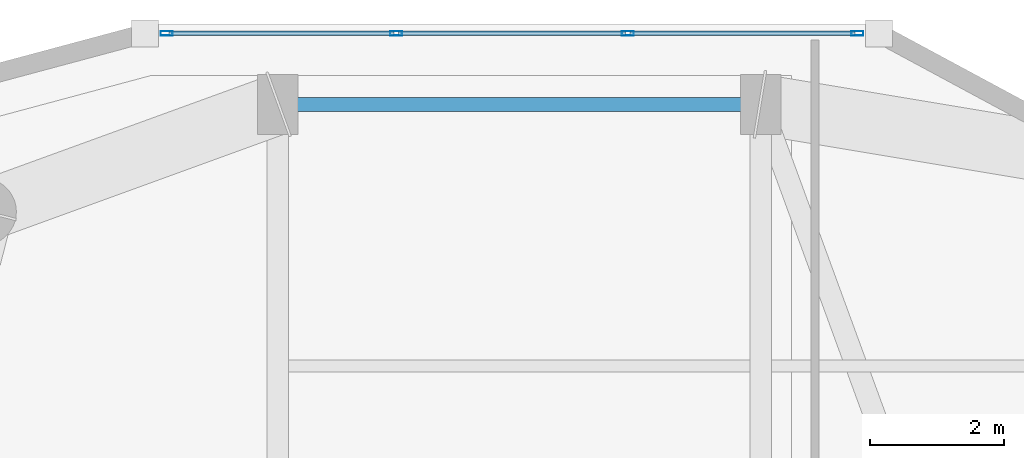
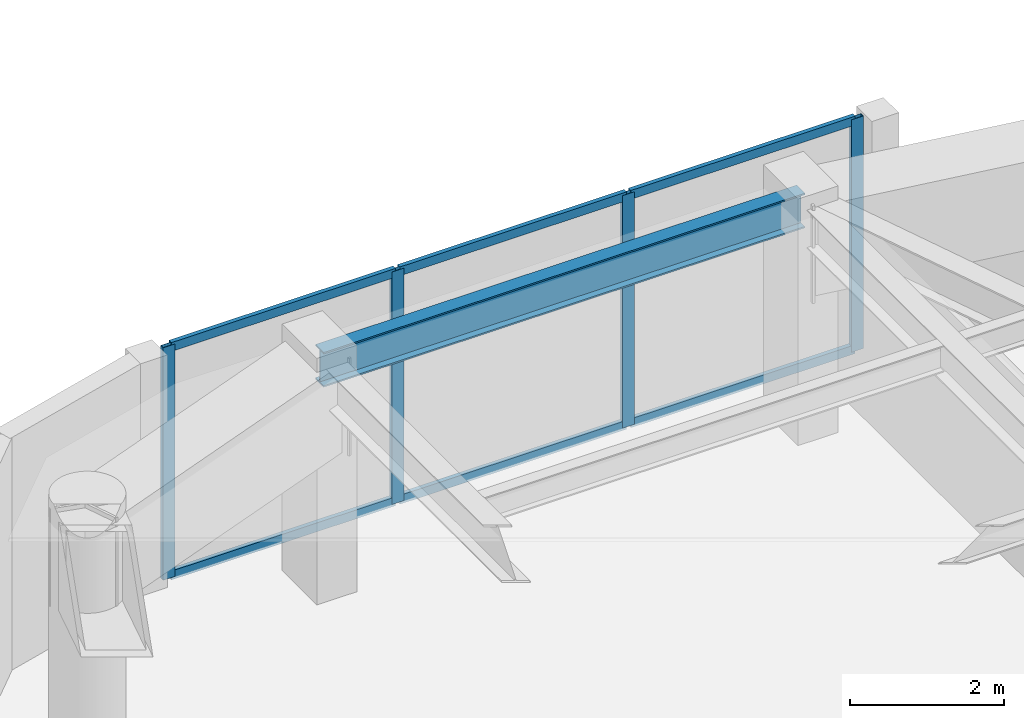
# One storey, part 10 of 21: 10 members, 1 beam, 1 element without a shape of its own.
"""IFC4 building model written with IfcOpenShell, lengths in metres."""

from ifc_helpers import new_model, si_unit, direction, frame, origin, origin_2d, place, context, subcontext, project, spatial, hollow_rectangle, i_section, extrude, material, layer, layer_set, material_profile, profile_set, type_object, element, aggregate, save


model = new_model("IFC4")

# Units and contexts
model_context = context("Model", 3, precision=1e-05, world=origin(), true_north=direction((0.0, 1.0)))
body_context = subcontext(model_context, "Body", "Model", "MODEL_VIEW")
ifc_project = project(units=[si_unit("LENGTHUNIT", "METRE"), si_unit("AREAUNIT", "SQUARE_METRE"), si_unit("VOLUMEUNIT", "CUBIC_METRE"), si_unit("PLANEANGLEUNIT", "RADIAN"), si_unit("MASSUNIT", "GRAM", prefix="KILO")], contexts=[model_context])

# Site, building, storey
site_placement = place(None, origin())
site = spatial("IfcSite", under=ifc_project, at=site_placement, CompositionType="ELEMENT")
building_placement = place(site_placement, origin())
building = spatial("IfcBuilding", under=site, at=building_placement, Name="Kiyonajd Concourse Tower", CompositionType="ELEMENT")
storey_placement = place(building_placement, frame((0.0, 0.0, 247.199951171875)))
storey = spatial("IfcBuildingStorey", under=building, at=storey_placement, Name="L62", CompositionType="ELEMENT", Elevation=247.199951171875)

# Beam
ifc_material_1 = material(Name="Steel ASTM A992 Grade 50", Category="steel")
ifc_material_profile_1 = material_profile(ifc_material_1, i_section(OverallWidth=0.214111328125, OverallDepth=0.549072265625, WebThickness=0.0146484375, FlangeThickness=0.023681640625, at=origin_2d()), Name="W530X138")
ifc_profile_set_1 = profile_set([ifc_material_profile_1], Name="Steel ASTM A992 Grade 50")
beam_type = type_object("IfcBeamType", Name="BM-SPAN-530A", PredefinedType="SPANDREL", material=ifc_profile_set_1)
beam_placement = place(storey_placement, frame((39.60009765625, 61.199951171875, 3.405517578125), z_axis=(-1.0, 0.0, 0.0), x_axis=(0.0, -1.0, 0.0)))
element("IfcBeam", 1, at=beam_placement, inside=storey, type_object=beam_type, Name="L62 Perimeter Bundled Tube Spandrel", PredefinedType="SPANDREL", context=body_context, shape_type="SweptSolid", body=[
    extrude(i_section(OverallWidth=0.214111328125, OverallDepth=0.549072265625, WebThickness=0.0146484375, FlangeThickness=0.023681640625, at=origin_2d()), origin(), (0.0, 0.0, 1.0), 7.2001953125),
])

# Curtain wall, members
ifc_material_2 = material(Name="Thermally Broken Anodised Aluminium", Category="aluminium")
ifc_layer = layer(ifc_material_2, 0.179931640625)
ifc_layer_set = layer_set([ifc_layer], Name="Thermally Broken Anodised Aluminium")
curtain_wall_type = type_object("IfcCurtainWallType", Name="CW-SYS-04", PredefinedType="NOTDEFINED", material=ifc_layer_set)
curtain_wall_placement = place(storey_placement, origin())
curtain_wall = element("IfcCurtainWall", 2, at=curtain_wall_placement, inside=storey, type_object=curtain_wall_type, Name="L62 Unitised Curtain Wall CW4", PredefinedType="NOTDEFINED")
ifc_material_profile_2 = material_profile(ifc_material_2, hollow_rectangle(XDim=0.06494140625, YDim=0.179931640625, WallThickness=0.00390625, at=origin_2d()), Name="MULL-65x180")
ifc_profile_set_2 = profile_set([ifc_material_profile_2], Name="Thermally Broken Anodised Aluminium")
member_type_1 = type_object("IfcMemberType", Name="MB-CW-MULL1", PredefinedType="MULLION", material=ifc_profile_set_2)
member_1_placement = place(storey_placement, frame((30.740966796875, 62.260009765625, 0.0), z_axis=(0.0, 0.0, 1.0), x_axis=(0.0, 1.0, 0.0)))
member_1 = element("IfcMember", 3, at=member_1_placement, type_object=member_type_1, Name="CW4 mullion 1", PredefinedType="MULLION", context=body_context, shape_type="SweptSolid", body=[
    extrude(hollow_rectangle(XDim=0.06494140625, YDim=0.179931640625, WallThickness=0.00390625, at=origin_2d()), origin(), (0.0, 0.0, 1.0), 3.679931640625),
])
member_2_placement = place(storey_placement, frame((34.163818359375, 62.260009765625, 0.0), z_axis=(0.0, 0.0, 1.0), x_axis=(0.0, 1.0, 0.0)))
member_2 = element("IfcMember", 4, at=member_2_placement, type_object=member_type_1, Name="CW4 mullion 2", PredefinedType="MULLION", context=body_context, shape_type="SweptSolid", body=[
    extrude(hollow_rectangle(XDim=0.06494140625, YDim=0.179931640625, WallThickness=0.00390625, at=origin_2d()), origin(), (0.0, 0.0, 1.0), 3.679931640625),
])
member_3_placement = place(storey_placement, frame((37.619384765625, 62.260009765625, 0.0), z_axis=(0.0, 0.0, 1.0), x_axis=(0.0, 1.0, 0.0)))
member_3 = element("IfcMember", 5, at=member_3_placement, type_object=member_type_1, Name="CW4 mullion 3", PredefinedType="MULLION", context=body_context, shape_type="SweptSolid", body=[
    extrude(hollow_rectangle(XDim=0.06494140625, YDim=0.179931640625, WallThickness=0.00390625, at=origin_2d()), origin(), (0.0, 0.0, 1.0), 3.679931640625),
])
member_4_placement = place(storey_placement, frame((41.042236328125, 62.260009765625, 0.0), z_axis=(0.0, 0.0, 1.0), x_axis=(0.0, 1.0, 0.0)))
member_4 = element("IfcMember", 6, at=member_4_placement, type_object=member_type_1, Name="CW4 mullion 4", PredefinedType="MULLION", context=body_context, shape_type="SweptSolid", body=[
    extrude(hollow_rectangle(XDim=0.06494140625, YDim=0.179931640625, WallThickness=0.00390625, at=origin_2d()), origin(), (0.0, 0.0, 1.0), 3.679931640625),
])
ifc_material_profile_3 = material_profile(ifc_material_2, hollow_rectangle(XDim=0.06494140625, YDim=0.139892578125, WallThickness=0.00390625, at=origin_2d()), Name="TRAN-65x140")
ifc_profile_set_3 = profile_set([ifc_material_profile_3], Name="Thermally Broken Anodised Aluminium")
member_type_2 = type_object("IfcMemberType", Name="MB-CW-TRAN1", PredefinedType="USERDEFINED", material=ifc_profile_set_3)
member_5_placement = place(storey_placement, frame((30.7734375, 62.260009765625, 0.032470703125), z_axis=(1.0, 0.0, 0.0), x_axis=(0.0, 1.0, 0.0)))
member_5 = element("IfcMember", 7, at=member_5_placement, type_object=member_type_2, Name="CW4 transom 1.1", ObjectType="TRANSOM", PredefinedType="USERDEFINED", context=body_context, shape_type="SweptSolid", body=[
    extrude(hollow_rectangle(XDim=0.06494140625, YDim=0.139892578125, WallThickness=0.00390625, at=origin_2d()), origin(), (0.0, 0.0, 1.0), 3.35791015625),
])
member_6_placement = place(storey_placement, frame((30.7734375, 62.260009765625, 3.6474609375), z_axis=(1.0, 0.0, 0.0), x_axis=(0.0, 1.0, 0.0)))
member_6 = element("IfcMember", 8, at=member_6_placement, type_object=member_type_2, Name="CW4 transom 1.2", ObjectType="TRANSOM", PredefinedType="USERDEFINED", context=body_context, shape_type="SweptSolid", body=[
    extrude(hollow_rectangle(XDim=0.06494140625, YDim=0.139892578125, WallThickness=0.00390625, at=origin_2d()), origin(), (0.0, 0.0, 1.0), 3.35791015625),
])
member_7_placement = place(storey_placement, frame((34.1962890625, 62.260009765625, 0.032470703125), z_axis=(1.0, 0.0, 0.0), x_axis=(0.0, 1.0, 0.0)))
member_7 = element("IfcMember", 9, at=member_7_placement, type_object=member_type_2, Name="CW4 transom 2.1", ObjectType="TRANSOM", PredefinedType="USERDEFINED", context=body_context, shape_type="SweptSolid", body=[
    extrude(hollow_rectangle(XDim=0.06494140625, YDim=0.139892578125, WallThickness=0.00390625, at=origin_2d()), origin(), (0.0, 0.0, 1.0), 3.390380859375),
])
member_8_placement = place(storey_placement, frame((34.1962890625, 62.260009765625, 3.6474609375), z_axis=(1.0, 0.0, 0.0), x_axis=(0.0, 1.0, 0.0)))
member_8 = element("IfcMember", 10, at=member_8_placement, type_object=member_type_2, Name="CW4 transom 2.2", ObjectType="TRANSOM", PredefinedType="USERDEFINED", context=body_context, shape_type="SweptSolid", body=[
    extrude(hollow_rectangle(XDim=0.06494140625, YDim=0.139892578125, WallThickness=0.00390625, at=origin_2d()), origin(), (0.0, 0.0, 1.0), 3.390380859375),
])
member_9_placement = place(storey_placement, frame((37.65185546875, 62.260009765625, 0.032470703125), z_axis=(1.0, 0.0, 0.0), x_axis=(0.0, 1.0, 0.0)))
member_9 = element("IfcMember", 11, at=member_9_placement, type_object=member_type_2, Name="CW4 transom 3.1", ObjectType="TRANSOM", PredefinedType="USERDEFINED", context=body_context, shape_type="SweptSolid", body=[
    extrude(hollow_rectangle(XDim=0.06494140625, YDim=0.139892578125, WallThickness=0.00390625, at=origin_2d()), origin(), (0.0, 0.0, 1.0), 3.35791015625),
])
member_10_placement = place(storey_placement, frame((37.65185546875, 62.260009765625, 3.6474609375), z_axis=(1.0, 0.0, 0.0), x_axis=(0.0, 1.0, 0.0)))
member_10 = element("IfcMember", 12, at=member_10_placement, type_object=member_type_2, Name="CW4 transom 3.2", ObjectType="TRANSOM", PredefinedType="USERDEFINED", context=body_context, shape_type="SweptSolid", body=[
    extrude(hollow_rectangle(XDim=0.06494140625, YDim=0.139892578125, WallThickness=0.00390625, at=origin_2d()), origin(), (0.0, 0.0, 1.0), 3.35791015625),
])
aggregate(curtain_wall, [member_1, member_2, member_3, member_4, member_5, member_6, member_7, member_8, member_9, member_10])

save(model, "model.ifc")
